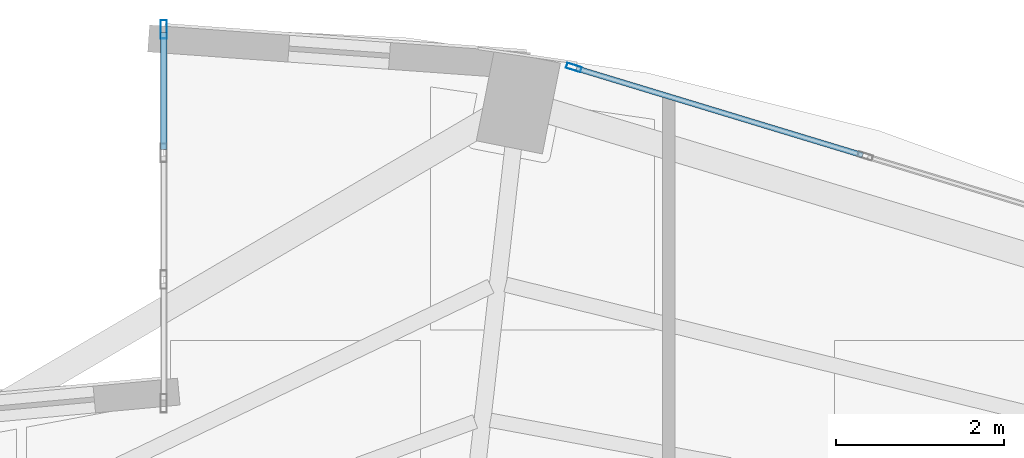
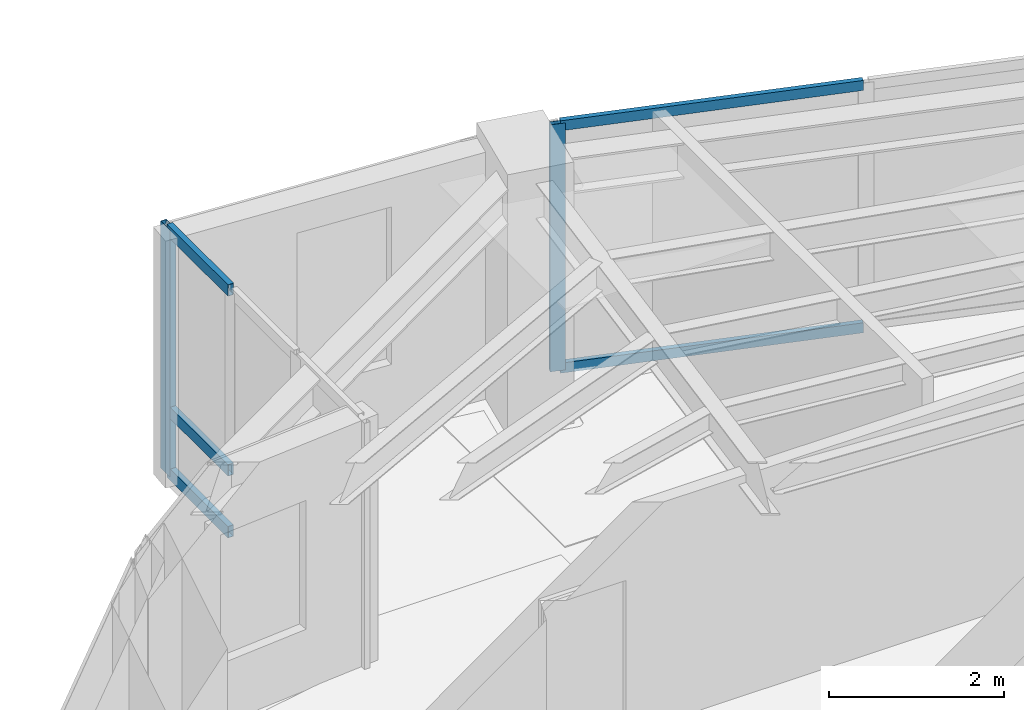
# One storey, part 9 of 15: 7 members, 2 elements without a shape of their own.
"""IFC4 building model written with IfcOpenShell, lengths in metres."""

from ifc_helpers import new_model, si_unit, direction, frame, origin, origin_2d, place, context, subcontext, project, spatial, hollow_rectangle, extrude, material, layer, layer_set, material_profile, profile_set, type_object, element, aggregate, save


model = new_model("IFC4")

# Units and contexts
model_context = context("Model", 3, precision=1e-05, world=origin(), true_north=direction((0.0, 1.0)))
body_context = subcontext(model_context, "Body", "Model", "MODEL_VIEW")
ifc_project = project(units=[si_unit("LENGTHUNIT", "METRE"), si_unit("AREAUNIT", "SQUARE_METRE"), si_unit("VOLUMEUNIT", "CUBIC_METRE"), si_unit("PLANEANGLEUNIT", "RADIAN"), si_unit("MASSUNIT", "GRAM", prefix="KILO")], contexts=[model_context])

# Site, building, storey
site_placement = place(None, origin())
site = spatial("IfcSite", under=ifc_project, at=site_placement, CompositionType="ELEMENT")
building_placement = place(site_placement, origin())
building = spatial("IfcBuilding", under=site, at=building_placement, Name="Lazwardi Medical Tower", CompositionType="ELEMENT")
storey_placement = place(building_placement, frame((0.0, 0.0, 280.56005859375)))
storey = spatial("IfcBuildingStorey", under=building, at=storey_placement, Name="L73", CompositionType="ELEMENT", Elevation=280.56005859375)

# Curtain wall, member
ifc_material_1 = material(Name="Anodised bronze aluminium and solar control glazing", Category="aluminium")
ifc_layer_1 = layer(ifc_material_1, 0.2099609375)
ifc_layer_set_1 = layer_set([ifc_layer_1], Name="Anodised bronze aluminium and solar control glazing")
curtain_wall_type_1 = type_object("IfcCurtainWallType", Name="CW-SYS-06", PredefinedType="NOTDEFINED", material=ifc_layer_set_1)
curtain_wall_1_placement = place(storey_placement, origin())
curtain_wall_1 = element("IfcCurtainWall", 1, at=curtain_wall_1_placement, inside=storey, type_object=curtain_wall_type_1, Name="L73 Unitised bronze curtain wall CW-06", PredefinedType="NOTDEFINED")
ifc_material_2 = material(Name="Anodised bronze aluminium", Category="aluminium")
ifc_material_profile_1 = material_profile(ifc_material_2, hollow_rectangle(XDim=0.074951171875, YDim=0.219970703125, WallThickness=0.00390625, at=origin_2d()), Name="ALU-MULLION 220x75x4")
ifc_profile_set_1 = profile_set([ifc_material_profile_1], Name="Anodised bronze aluminium")
member_type_1 = type_object("IfcMemberType", Name="CW-MUL-01", PredefinedType="MULLION", material=ifc_profile_set_1)
member_1_placement = place(storey_placement, frame((36.0, 45.46240234375, 0.0), z_axis=(0.0, 0.0, 1.0), x_axis=(1.0, 0.0, 0.0)))
member_1 = element("IfcMember", 2, at=member_1_placement, type_object=member_type_1, Name="CW-06 mullion 1", PredefinedType="MULLION", context=body_context, shape_type="SweptSolid", body=[
    extrude(hollow_rectangle(XDim=0.074951171875, YDim=0.219970703125, WallThickness=0.00390625, at=origin_2d()), origin(), (0.0, 0.0, 1.0), 3.447998046875),
])

ifc_layer_2 = layer(ifc_material_1, 0.18994140625)
ifc_layer_set_2 = layer_set([ifc_layer_2], Name="Anodised bronze aluminium and solar control glazing")
curtain_wall_type_2 = type_object("IfcCurtainWallType", Name="CW-SYS-04", PredefinedType="NOTDEFINED", material=ifc_layer_set_2)
curtain_wall_2_placement = place(storey_placement, origin())
curtain_wall_2 = element("IfcCurtainWall", 3, at=curtain_wall_2_placement, inside=storey, type_object=curtain_wall_type_2, Name="L73 Unitised bronze curtain wall CW-04", PredefinedType="NOTDEFINED")
ifc_material_profile_2 = material_profile(ifc_material_2, hollow_rectangle(XDim=0.06494140625, YDim=0.179931640625, WallThickness=0.00390625, at=origin_2d()), Name="ALU-MULLION 180x65x4")
ifc_profile_set_2 = profile_set([ifc_material_profile_2], Name="Anodised bronze aluminium")
member_type_2 = type_object("IfcMemberType", Name="CW-MUL-03", PredefinedType="MULLION", material=ifc_profile_set_2)
member_2_placement = place(storey_placement, frame((40.873046875, 45.007080078125, 0.0), z_axis=(0.0, 0.0, 1.0), x_axis=(-0.290581889515, -0.956850126972, 0.0)))
member_2 = element("IfcMember", 4, at=member_2_placement, type_object=member_type_2, Name="CW-04 mullion 3", PredefinedType="MULLION", context=body_context, shape_type="SweptSolid", body=[
    extrude(hollow_rectangle(XDim=0.06494140625, YDim=0.179931640625, WallThickness=0.00390625, at=origin_2d()), origin(), (0.0, 0.0, 1.0), 3.447998046875),
])

# Member
ifc_material_profile_3 = material_profile(ifc_material_2, hollow_rectangle(XDim=0.074951171875, YDim=0.159912109375, WallThickness=0.00390625, at=origin_2d()), Name="ALU-TRANSOM 160x75x4")
ifc_profile_set_3 = profile_set([ifc_material_profile_3], Name="Anodised bronze aluminium")
member_type_3 = type_object("IfcMemberType", Name="CW-TRN-01", PredefinedType="USERDEFINED", material=ifc_profile_set_3)
member_3_placement = place(storey_placement, frame((36.0, 45.425048828125, 0.037353515625), z_axis=(0.0, -1.0, 0.0), x_axis=(1.0, 0.0, 0.0)))
member_3 = element("IfcMember", 5, at=member_3_placement, type_object=member_type_3, Name="CW-06 transom 1.1", ObjectType="TRANSOM", PredefinedType="USERDEFINED", context=body_context, shape_type="SweptSolid", body=[
    extrude(hollow_rectangle(XDim=0.074951171875, YDim=0.159912109375, WallThickness=0.00390625, at=origin_2d()), origin(), (0.0, 0.0, 1.0), 1.394287109375),
])

member_4_placement = place(storey_placement, frame((36.0, 45.425048828125, 0.89990234375), z_axis=(0.0, -1.0, 0.0), x_axis=(1.0, 0.0, 0.0)))
member_4 = element("IfcMember", 6, at=member_4_placement, type_object=member_type_3, Name="CW-06 transom 1.2", ObjectType="TRANSOM", PredefinedType="USERDEFINED", context=body_context, shape_type="SweptSolid", body=[
    extrude(hollow_rectangle(XDim=0.074951171875, YDim=0.159912109375, WallThickness=0.00390625, at=origin_2d()), origin(), (0.0, 0.0, 1.0), 1.394287109375),
])

member_5_placement = place(storey_placement, frame((36.0, 45.425048828125, 3.410400390625), z_axis=(0.0, -1.0, 0.0), x_axis=(1.0, 0.0, 0.0)))
member_5 = element("IfcMember", 7, at=member_5_placement, type_object=member_type_3, Name="CW-06 transom 1.3", ObjectType="TRANSOM", PredefinedType="USERDEFINED", context=body_context, shape_type="SweptSolid", body=[
    extrude(hollow_rectangle(XDim=0.074951171875, YDim=0.159912109375, WallThickness=0.00390625, at=origin_2d()), origin(), (0.0, 0.0, 1.0), 1.394287109375),
])

aggregate(curtain_wall_1, [member_1, member_3, member_4, member_5])

ifc_material_profile_4 = material_profile(ifc_material_2, hollow_rectangle(XDim=0.06494140625, YDim=0.139892578125, WallThickness=0.00341796875, at=origin_2d()), Name="ALU-TRANSOM 140x65x3.5")
ifc_profile_set_4 = profile_set([ifc_material_profile_4], Name="Anodised bronze aluminium")
member_type_4 = type_object("IfcMemberType", Name="CW-TRN-03", PredefinedType="USERDEFINED", material=ifc_profile_set_4)
member_6_placement = place(storey_placement, frame((44.305419921875, 43.96484375, 0.032470703125), z_axis=(-0.956862505902, 0.290541124109, 0.0), x_axis=(-0.290541124109, -0.956862505902, 0.0)))
member_6 = element("IfcMember", 8, at=member_6_placement, type_object=member_type_4, Name="CW-04 transom 2.1", ObjectType="TRANSOM", PredefinedType="USERDEFINED", context=body_context, shape_type="SweptSolid", body=[
    extrude(hollow_rectangle(XDim=0.06494140625, YDim=0.139892578125, WallThickness=0.00341796875, at=origin_2d()), origin(), (0.0, 0.0, 1.0), 3.554443359375),
])

member_7_placement = place(storey_placement, frame((44.305419921875, 43.96484375, 3.41552734375), z_axis=(-0.956862505902, 0.290541124109, 0.0), x_axis=(-0.290541124109, -0.956862505902, 0.0)))
member_7 = element("IfcMember", 9, at=member_7_placement, type_object=member_type_4, Name="CW-04 transom 2.2", ObjectType="TRANSOM", PredefinedType="USERDEFINED", context=body_context, shape_type="SweptSolid", body=[
    extrude(hollow_rectangle(XDim=0.06494140625, YDim=0.139892578125, WallThickness=0.00341796875, at=origin_2d()), origin(), (0.0, 0.0, 1.0), 3.554443359375),
])

aggregate(curtain_wall_2, [member_2, member_6, member_7])

save(model, "model.ifc")
